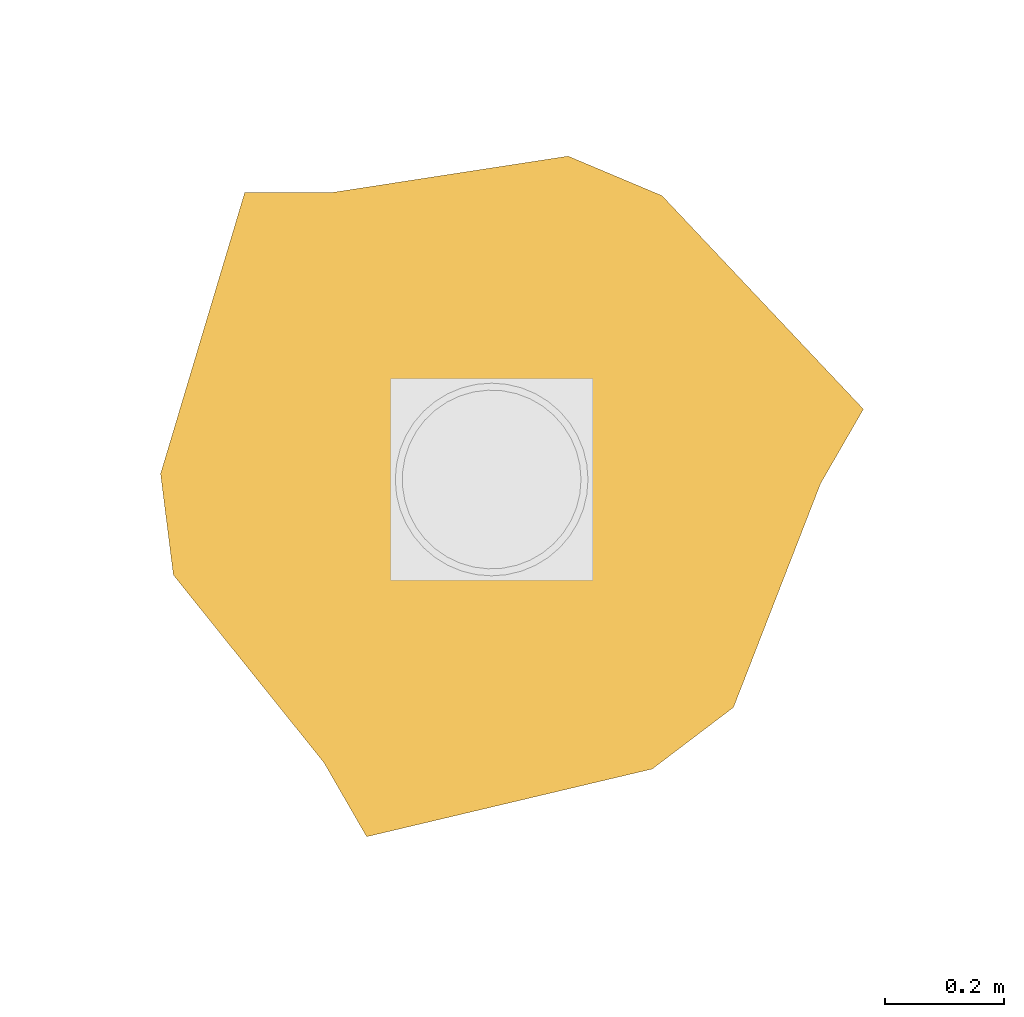
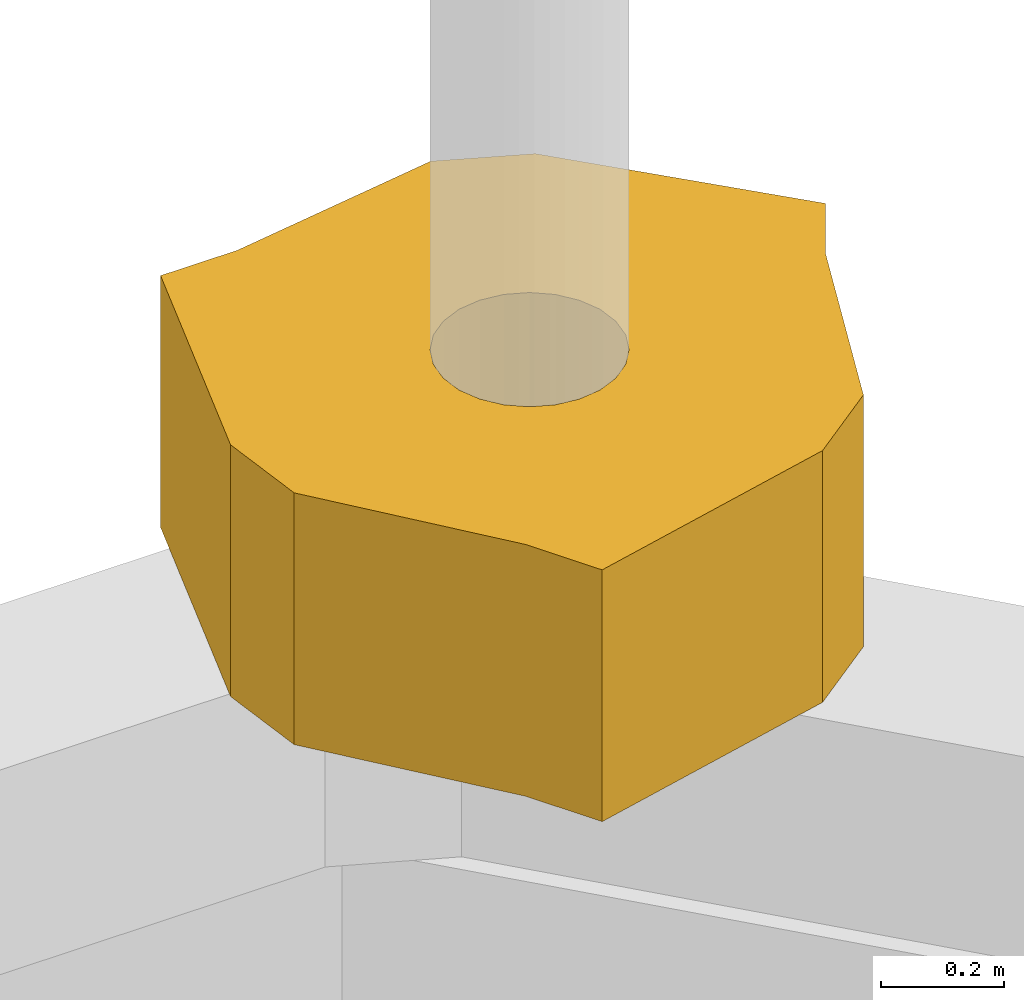
# One storey, part 2 of 2: 1 covering.
"""IFC4 building model written with IfcOpenShell, lengths in metres."""

from ifc_helpers import new_model, si_unit, direction, frame, origin, place, context, subcontext, project, spatial, polyline, outline, extrude, material, layer, layer_set, type_object, element, save


model = new_model("IFC4")

# Units and contexts
model_context = context("Model", 3, precision=1e-05, world=origin(), true_north=direction((0.0, 1.0)))
body_context = subcontext(model_context, "Body", "Model", "MODEL_VIEW")
ifc_project = project(units=[si_unit("LENGTHUNIT", "METRE"), si_unit("AREAUNIT", "SQUARE_METRE"), si_unit("VOLUMEUNIT", "CUBIC_METRE"), si_unit("PLANEANGLEUNIT", "RADIAN"), si_unit("MASSUNIT", "GRAM", prefix="KILO")], contexts=[model_context])

# Site, building, storey
site_placement = place(None, origin())
site = spatial("IfcSite", under=ifc_project, at=site_placement, CompositionType="ELEMENT")
building_placement = place(site_placement, origin())
building = spatial("IfcBuilding", under=site, at=building_placement, Name="Isthmus Gate Tower", CompositionType="ELEMENT")
storey_placement = place(building_placement, frame((0.0, 0.0, 329.10009765625)))
storey = spatial("IfcBuildingStorey", under=building, at=storey_placement, Name="C7", CompositionType="ELEMENT", Elevation=329.10009765625)

# Covering
ifc_material = material(Name="Aluminium, white powder-coated", Category="aluminium")
ifc_layer = layer(ifc_material, 0.5)
ifc_layer_set = layer_set([ifc_layer], Name="CW-5 APEX COLLAR 500 HIGH")
covering_type = type_object("IfcCoveringType", Name="CW-5 APEX COLLAR 500 HIGH", PredefinedType="CLADDING", material=ifc_layer_set)
covering_placement = place(storey_placement, frame((0.0, 0.0, 4.47607421875)))
element("IfcCovering", 1, at=covering_placement, inside=storey, type_object=covering_type, Name="CW-5 apex collar", PredefinedType="CLADDING", context=body_context, shape_type="SweptSolid", body=[
    extrude(outline(polyline([(0.12841796875, 0.543212890625), (-0.27099609375, 0.481689453125), (-0.414794921875, 0.48193359375), (-0.55615234375, 0.009521484375), (-0.53466796875, -0.160400390625), (-0.28173828125, -0.4755859375), (-0.2099609375, -0.60009765625), (0.269775390625, -0.486328125), (0.40625, -0.3828125), (0.552734375, -0.00634765625), (0.62451171875, 0.1181640625), (0.2861328125, 0.476806640625), (0.12841796875, 0.543212890625)]), holes=[polyline([(0.161865234375, 0.0), (0.156494140625, 0.0419921875), (0.14013671875, 0.080810546875), (0.114501953125, 0.114501953125), (0.0810546875, 0.14013671875), (0.0419921875, 0.156494140625), (0.0, 0.161865234375), (-0.0419921875, 0.156494140625), (-0.080810546875, 0.14013671875), (-0.114501953125, 0.114501953125), (-0.14013671875, 0.080810546875), (-0.156494140625, 0.0419921875), (-0.161865234375, 0.0), (-0.156494140625, -0.0419921875), (-0.14013671875, -0.080810546875), (-0.114501953125, -0.114501953125), (-0.0810546875, -0.14013671875), (-0.0419921875, -0.156494140625), (0.0, -0.161865234375), (0.0419921875, -0.156494140625), (0.0810546875, -0.14013671875), (0.114501953125, -0.114501953125), (0.14013671875, -0.0810546875), (0.156494140625, -0.0419921875), (0.161865234375, 0.0)])]), origin(), (0.0, 0.0, 1.0), 0.5),
])

save(model, "model.ifc")
